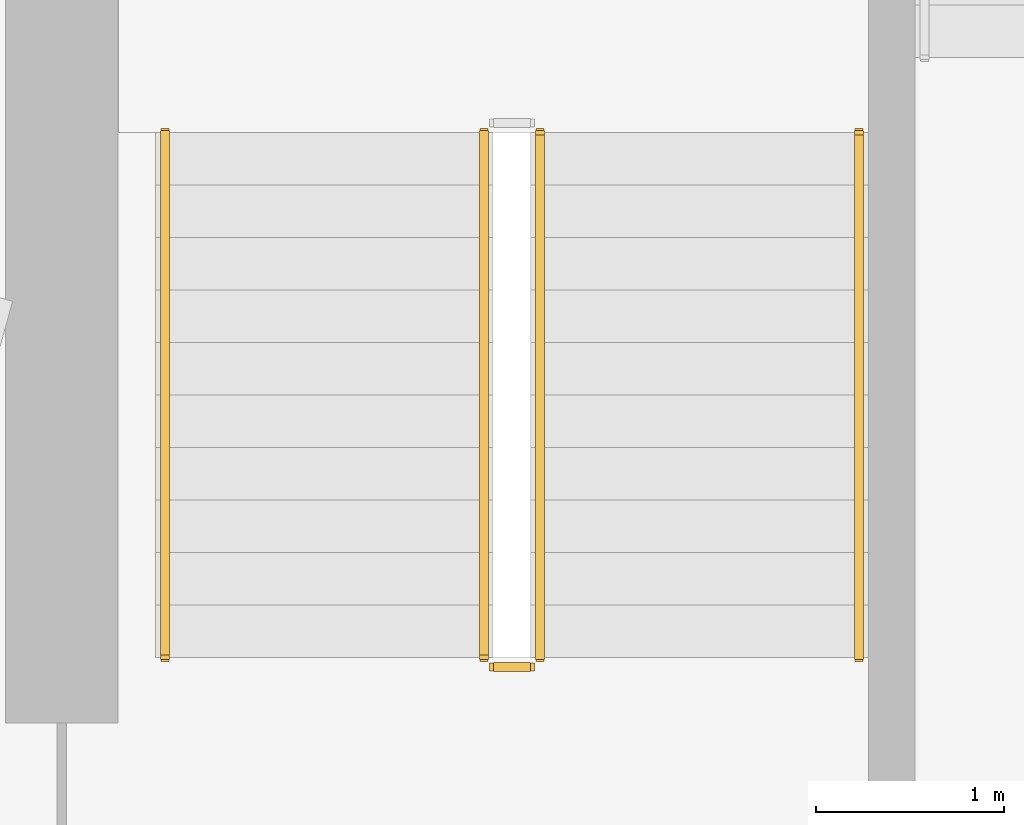
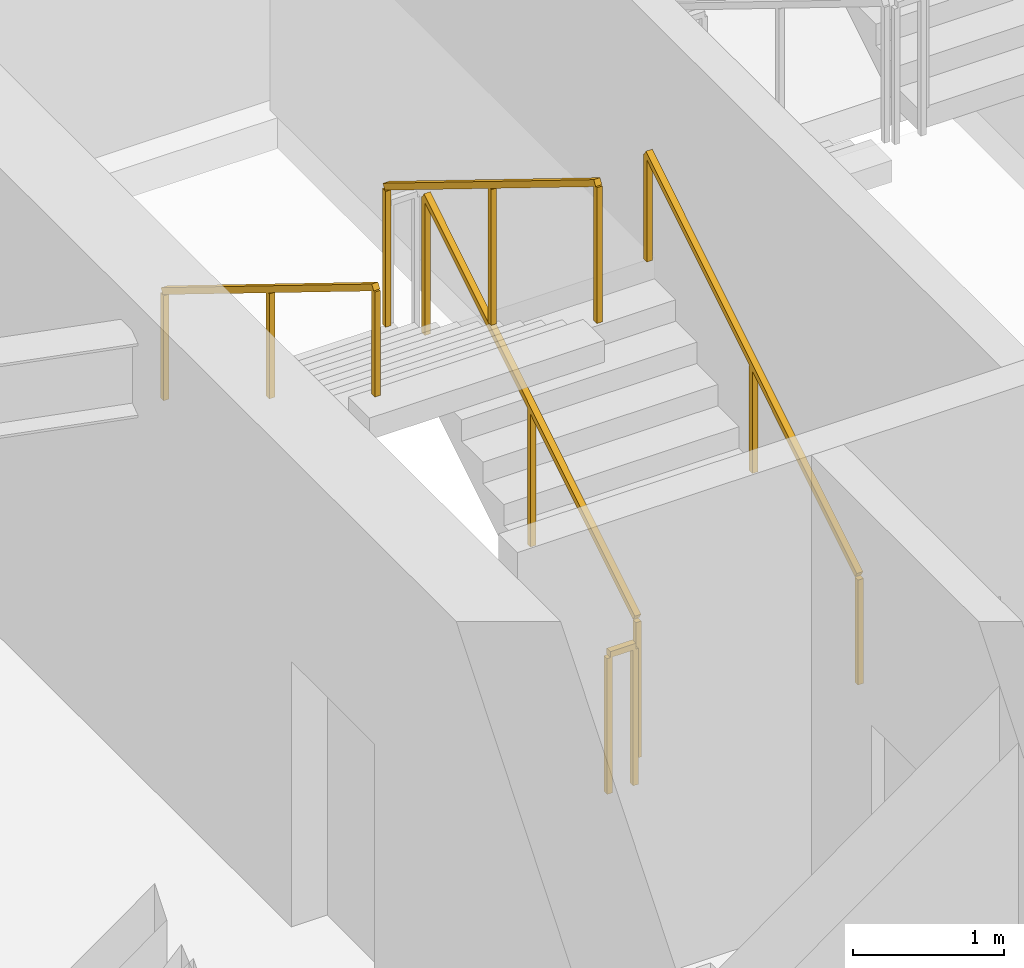
# One storey, part 26 of 29: 5 railings.
"""IFC4 building model written with IfcOpenShell, lengths in metres."""

from ifc_helpers import new_model, si_unit, direction, frame, origin, origin_2d, place, context, subcontext, project, spatial, rectangle, extrude, material, type_object, element, save


model = new_model("IFC4")

# Units and contexts
model_context = context("Model", 3, precision=1e-05, world=origin(), true_north=direction((0.0, 1.0)))
body_context = subcontext(model_context, "Body", "Model", "MODEL_VIEW")
ifc_project = project(units=[si_unit("LENGTHUNIT", "METRE"), si_unit("AREAUNIT", "SQUARE_METRE"), si_unit("VOLUMEUNIT", "CUBIC_METRE"), si_unit("PLANEANGLEUNIT", "RADIAN"), si_unit("MASSUNIT", "GRAM", prefix="KILO")], contexts=[model_context])

# Site, building, storey
site_placement = place(None, origin())
site = spatial("IfcSite", under=ifc_project, at=site_placement, CompositionType="ELEMENT")
building_placement = place(site_placement, origin())
building = spatial("IfcBuilding", under=site, at=building_placement, Name="Zuhravey Tower", CompositionType="ELEMENT")
storey_placement = place(building_placement, frame((0.0, 0.0, 269.199951171875)))
storey = spatial("IfcBuildingStorey", under=building, at=storey_placement, Name="L68", CompositionType="ELEMENT", Elevation=269.199951171875)

# Railings
ifc_material_1 = material(Name="Brushed stainless steel", Category="steel")
railing_type_1 = type_object("IfcRailingType", Name="Stair Wall Handrail 900", PredefinedType="HANDRAIL", material=ifc_material_1)
railing_1_placement = place(storey_placement, frame((29.75, 33.199951171875, 0.1728515625)))
element("IfcRailing", 1, at=railing_1_placement, inside=storey, type_object=railing_type_1, Name="L68 ST1 stair handrail 1", PredefinedType="HANDRAIL", context=body_context, shape_type="SweptSolid", body=[
    extrude(rectangle(XDim=0.048095703125, YDim=0.048095703125, at=origin_2d()), frame((0.0, 0.001708984375, 0.876953125), z_axis=(0.0, 0.851089632645, 0.525020415988), x_axis=(-1.0, 0.0, 0.0)), (0.0, 0.0, 1.0), 3.285888671875),
    extrude(rectangle(XDim=0.0419921875, YDim=0.0419921875, at=origin_2d()), origin(), (0.0, 0.0, 1.0), 0.849853515625),
    extrude(rectangle(XDim=0.0419921875, YDim=0.0419921875, at=origin_2d()), frame((0.0, 1.39990234375, 0.86376953125)), (0.0, 0.0, 1.0), 0.849853515625),
    extrude(rectangle(XDim=0.0419921875, YDim=0.0419921875, at=origin_2d()), frame((0.0, 2.800048828125, 1.727294921875)), (0.0, 0.0, 1.0), 0.849853515625),
])
railing_2_placement = place(storey_placement, frame((26.050048828125, 36.0, 2.07275390625)))
element("IfcRailing", 2, at=railing_2_placement, inside=storey, type_object=railing_type_1, Name="L68 ST1 stair handrail 2", PredefinedType="HANDRAIL", context=body_context, shape_type="SweptSolid", body=[
    extrude(rectangle(XDim=0.048095703125, YDim=0.048095703125, at=origin_2d()), frame((0.0, -0.001708984375, 0.876953125), z_axis=(0.0, -0.851089632645, 0.525020415988), x_axis=(1.0, 0.0, 0.0)), (0.0, 0.0, 1.0), 3.285888671875),
    extrude(rectangle(XDim=0.0419921875, YDim=0.0419921875, at=origin_2d()), origin(), (0.0, 0.0, 1.0), 0.849853515625),
    extrude(rectangle(XDim=0.0419921875, YDim=0.0419921875, at=origin_2d()), frame((0.0, -1.39990234375, 0.86376953125)), (0.0, 0.0, 1.0), 0.849853515625),
    extrude(rectangle(XDim=0.0419921875, YDim=0.0419921875, at=origin_2d()), frame((0.0, -2.800048828125, 1.727294921875)), (0.0, 0.0, 1.0), 0.849853515625),
])
ifc_material_2 = material(Name="Painted tubular steel", Category="steel")
railing_type_2 = type_object("IfcRailingType", Name="Stair Well Guardrail 1150", PredefinedType="GUARDRAIL", material=ifc_material_2)
railing_3_placement = place(storey_placement, frame((28.050048828125, 33.199951171875, 0.1728515625)))
element("IfcRailing", 3, at=railing_3_placement, inside=storey, type_object=railing_type_2, Name="L68 ST1 stair guard 1", PredefinedType="GUARDRAIL", context=body_context, shape_type="SweptSolid", body=[
    extrude(rectangle(XDim=0.048095703125, YDim=0.048095703125, at=origin_2d()), frame((0.0, 0.001708984375, 1.126953125), z_axis=(0.0, 0.851089632645, 0.525020415988), x_axis=(-1.0, 0.0, 0.0)), (0.0, 0.0, 1.0), 3.285888671875),
    extrude(rectangle(XDim=0.0419921875, YDim=0.0419921875, at=origin_2d()), origin(), (0.0, 0.0, 1.0), 1.099853515625),
    extrude(rectangle(XDim=0.0419921875, YDim=0.0419921875, at=origin_2d()), frame((0.0, 1.39990234375, 0.86376953125)), (0.0, 0.0, 1.0), 1.099853515625),
    extrude(rectangle(XDim=0.0419921875, YDim=0.0419921875, at=origin_2d()), frame((0.0, 2.800048828125, 1.727294921875)), (0.0, 0.0, 1.0), 1.099853515625),
])
railing_4_placement = place(storey_placement, frame((27.75, 36.0, 2.07275390625)))
element("IfcRailing", 4, at=railing_4_placement, inside=storey, type_object=railing_type_2, Name="L68 ST1 stair guard 3", PredefinedType="GUARDRAIL", context=body_context, shape_type="SweptSolid", body=[
    extrude(rectangle(XDim=0.048095703125, YDim=0.048095703125, at=origin_2d()), frame((0.0, -0.001708984375, 1.126953125), z_axis=(0.0, -0.851089632645, 0.525020415988), x_axis=(1.0, 0.0, 0.0)), (0.0, 0.0, 1.0), 3.285888671875),
    extrude(rectangle(XDim=0.0419921875, YDim=0.0419921875, at=origin_2d()), origin(), (0.0, 0.0, 1.0), 1.099853515625),
    extrude(rectangle(XDim=0.0419921875, YDim=0.0419921875, at=origin_2d()), frame((0.0, -1.39990234375, 0.86376953125)), (0.0, 0.0, 1.0), 1.099853515625),
    extrude(rectangle(XDim=0.0419921875, YDim=0.0419921875, at=origin_2d()), frame((0.0, -2.800048828125, 1.727294921875)), (0.0, 0.0, 1.0), 1.099853515625),
])
railing_5_placement = place(storey_placement, frame((28.0, 33.14990234375, 0.0)))
element("IfcRailing", 5, at=railing_5_placement, inside=storey, type_object=railing_type_2, Name="L68 ST1 stair guard 4", PredefinedType="GUARDRAIL", context=body_context, shape_type="SweptSolid", body=[
    extrude(rectangle(XDim=0.048095703125, YDim=0.048095703125, at=origin_2d()), frame((-0.001953125, 0.0, 1.1259765625), z_axis=(-1.0, 0.0, 0.0), x_axis=(0.0, -1.0, 0.0)), (0.0, 0.0, 1.0), 0.196044921875),
    extrude(rectangle(XDim=0.0419921875, YDim=0.0419921875, at=origin_2d()), origin(), (0.0, 0.0, 1.0), 1.099853515625),
    extrude(rectangle(XDim=0.0419921875, YDim=0.0419921875, at=origin_2d()), frame((-0.199951171875, 0.0, 0.0)), (0.0, 0.0, 1.0), 1.099853515625),
])

save(model, "model.ifc")
